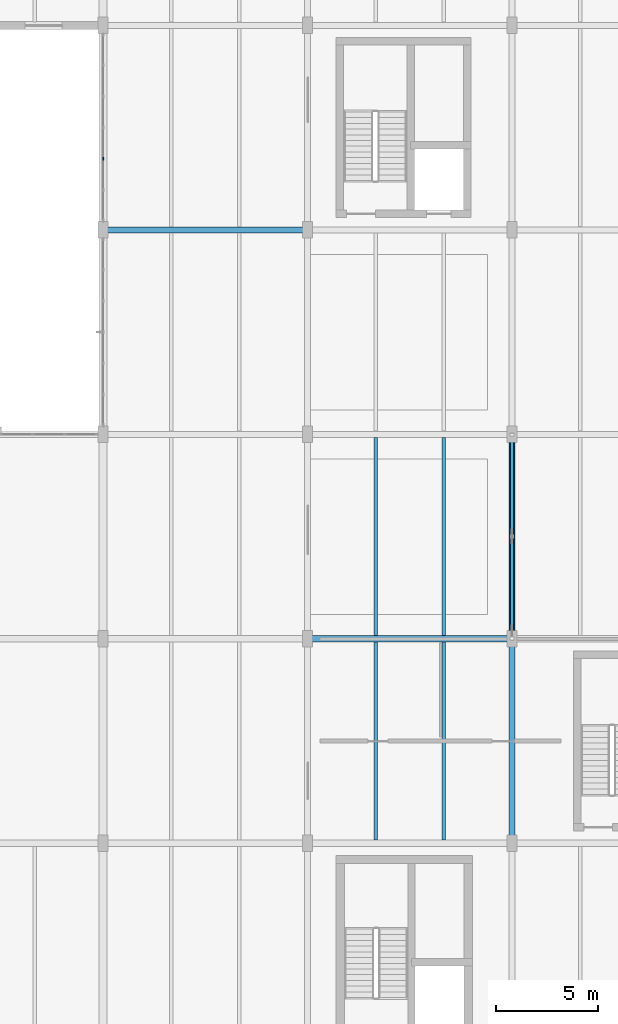
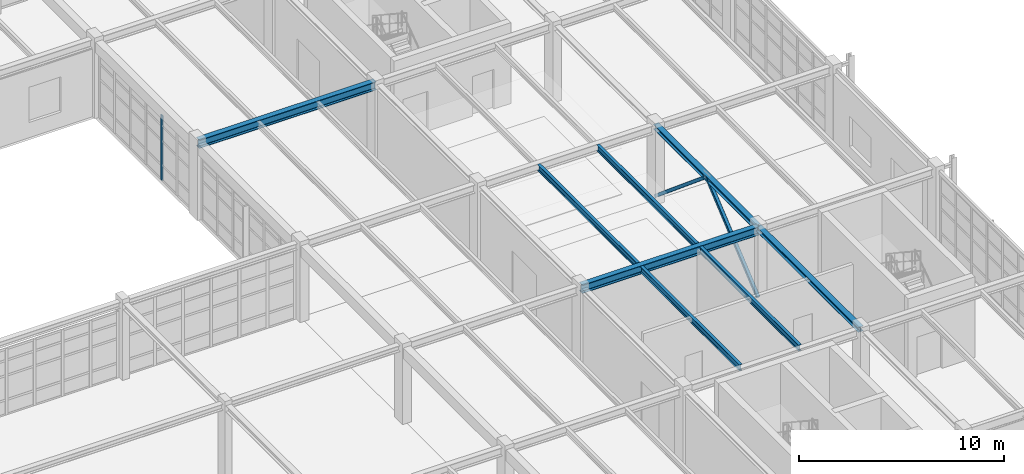
# One storey, part 69 of 139: 8 beams, 3 members, 1 element without a shape of its own.
"""IFC4 building model written with IfcOpenShell, lengths in metres."""

from ifc_helpers import new_model, si_unit, direction, frame, origin, origin_2d, place, context, subcontext, project, spatial, rectangle, hollow_rectangle, i_section, extrude, material, layer, layer_set, material_profile, profile_set, type_object, element, aggregate, save


model = new_model("IFC4")

# Units and contexts
model_context = context("Model", 3, precision=1e-05, world=origin(), true_north=direction((0.0, 1.0)))
body_context = subcontext(model_context, "Body", "Model", "MODEL_VIEW")
ifc_project = project(units=[si_unit("LENGTHUNIT", "METRE"), si_unit("AREAUNIT", "SQUARE_METRE"), si_unit("VOLUMEUNIT", "CUBIC_METRE"), si_unit("PLANEANGLEUNIT", "RADIAN"), si_unit("MASSUNIT", "GRAM", prefix="KILO"), si_unit("THERMODYNAMICTEMPERATUREUNIT", "KELVIN"), si_unit("POWERUNIT", "WATT")], contexts=[model_context])

# Site, building, storey
site_placement = place(None, origin())
site = spatial("IfcSite", under=ifc_project, at=site_placement, CompositionType="ELEMENT")
building_placement = place(site_placement, origin())
building = spatial("IfcBuilding", under=site, at=building_placement, Name="Korenveer Ferry Terminal", CompositionType="ELEMENT")
storey_placement = place(building_placement, frame((0.0, 0.0, 5.39990234375)))
storey = spatial("IfcBuildingStorey", under=building, at=storey_placement, Name="L01", CompositionType="ELEMENT", Elevation=5.39990234375)

# Curtain wall, member
ifc_material_1 = material(Name="Unitised bronze-and-glass curtain wall", Category="glass")
ifc_layer = layer(ifc_material_1, 0.159912109375)
ifc_layer_set = layer_set([ifc_layer], Name="Unitised bronze-and-glass curtain wall")
curtain_wall_type = type_object("IfcCurtainWallType", Name="ENV-CW-79", PredefinedType="USERDEFINED", material=ifc_layer_set)
curtain_wall_placement = place(storey_placement, frame((146.0, 60.429931640625, 0.0)))
curtain_wall = element("IfcCurtainWall", 1, at=curtain_wall_placement, inside=storey, type_object=curtain_wall_type, Name="Lancet curtain wall CWX-L01-X146-146-Y60-70", ObjectType="UNITISED CURTAIN WALL", PredefinedType="USERDEFINED")
ifc_material_2 = material(Name="Anodised bronze aluminium", Category="aluminium")
ifc_material_profile_1 = material_profile(ifc_material_2, rectangle(XDim=0.06005859375, YDim=0.159912109375, at=origin_2d()), Name="ALU 60x160")
ifc_profile_set_1 = profile_set([ifc_material_profile_1], Name="Anodised bronze aluminium")
member_type_1 = type_object("IfcMemberType", Name="ENV-CWM-60X160", PredefinedType="MULLION", material=ifc_profile_set_1)
member_placement = place(storey_placement, frame((146.0, 63.4765625, 0.0), z_axis=(0.0, 0.0, 1.0), x_axis=(-1.0, 0.0, 0.0)))
member = element("IfcMember", 2, at=member_placement, type_object=member_type_1, Name="CW-79 mullion 3", PredefinedType="MULLION", context=body_context, shape_type="SweptSolid", body=[
    extrude(rectangle(XDim=0.06005859375, YDim=0.159912109375, at=origin_2d()), origin(), (0.0, 0.0, 1.0), 3.8701171875),
])
aggregate(curtain_wall, [member])

# Beams
ifc_material_3 = material(Name="Steel S355", Category="steel")
ifc_material_profile_2 = material_profile(ifc_material_3, i_section(OverallWidth=0.300048828125, OverallDepth=0.2900390625, WebThickness=0.008544921875, FlangeThickness=0.013916015625, FilletRadius=0.027099609375, at=origin_2d()), Name="HEA 300")
ifc_profile_set_2 = profile_set([ifc_material_profile_2], Name="Steel S355")
beam_type_1 = type_object("IfcBeamType", Name="STR-BM-HEA300", PredefinedType="BEAM", material=ifc_profile_set_2)
for number, where, z_axis, x_axis, name in (
    (3, (166.0, 30.02001953125, 4.405029296875), (0.0, 1.0, 0.0), (-1.0, 0.0, 0.0), "Primary Y girder BMY-L02-X166-Y30-40"),
    (4, (166.0, 40.02001953125, 4.405029296875), (0.0, 1.0, 0.0), (-1.0, 0.0, 0.0), "Primary Y girder BMY-L02-X166-Y40-50"),
):
    element("IfcBeam", number, at=place(storey_placement, frame(where, z_axis=z_axis, x_axis=x_axis)), inside=storey, type_object=beam_type_1, Name=name, PredefinedType="BEAM", context=body_context, shape_type="SweptSolid", body=[
        extrude(i_section(OverallWidth=0.300048828125, OverallDepth=0.2900390625, WebThickness=0.008544921875, FlangeThickness=0.013916015625, FilletRadius=0.027099609375, at=origin_2d()), origin(), (0.0, 0.0, 1.0), 9.9599609375),
    ])
ifc_material_profile_3 = material_profile(ifc_material_3, i_section(OverallWidth=0.300048828125, OverallDepth=0.5, WebThickness=0.014404296875, FlangeThickness=0.028076171875, FilletRadius=0.027099609375, at=origin_2d()), Name="HEB 500")
ifc_profile_set_3 = profile_set([ifc_material_profile_3], Name="Steel S355")
beam_type_2 = type_object("IfcBeamType", Name="STR-BM-HEB500", PredefinedType="BEAM", material=ifc_profile_set_3)
for number, where, z_axis, x_axis, name in (
    (5, (156.02001953125, 40.0, 4.300048828125), (1.0, 0.0, 0.0), (0.0, 1.0, 0.0), "Primary X girder BMX-L02-X156-166-Y40"),
    (6, (146.02001953125, 60.0, 4.300048828125), (1.0, 0.0, 0.0), (0.0, 1.0, 0.0), "Primary X girder BMX-L02-X146-156-Y60"),
):
    element("IfcBeam", number, at=place(storey_placement, frame(where, z_axis=z_axis, x_axis=x_axis)), inside=storey, type_object=beam_type_2, Name=name, PredefinedType="BEAM", context=body_context, shape_type="SweptSolid", body=[
        extrude(i_section(OverallWidth=0.300048828125, OverallDepth=0.5, WebThickness=0.014404296875, FlangeThickness=0.028076171875, FilletRadius=0.027099609375, at=origin_2d()), origin(), (0.0, 0.0, 1.0), 9.9599609375),
    ])

# Members
ifc_material_profile_4 = material_profile(ifc_material_3, hollow_rectangle(XDim=0.179931640625, YDim=0.179931640625, WallThickness=0.010009765625, InnerFilletRadius=0.010009765625, OuterFilletRadius=0.014892578125, at=origin_2d()), Name="SHS 180x180x10")
ifc_profile_set_4 = profile_set([ifc_material_profile_4], Name="Steel S355")
member_type_2 = type_object("IfcMemberType", Name="STR-BRC-SHS180", PredefinedType="BRACE", material=ifc_profile_set_4)
for number, where, z_axis, x_axis, name in (
    (7, (166.0, 40.02001953125, 0.239990234375), (0.0, 0.767449743523, 0.641109110189), (-1.0, 0.0, 0.0), "Lateral stability chevron brace BRCVF-L01-X166-400"),
    (8, (166.0, 45.0, 4.400146484375), (0.0, 0.767449743523, -0.641109110189), (-1.0, 0.0, 0.0), "Lateral stability chevron brace BRCVF-L01-X166-450"),
):
    element("IfcMember", number, at=place(storey_placement, frame(where, z_axis=z_axis, x_axis=x_axis)), inside=storey, type_object=member_type_2, Name=name, PredefinedType="BRACE", context=body_context, shape_type="SweptSolid", body=[
        extrude(hollow_rectangle(XDim=0.179931640625, YDim=0.179931640625, WallThickness=0.010009765625, InnerFilletRadius=0.010009765625, OuterFilletRadius=0.014892578125, at=origin_2d()), origin(), (0.0, 0.0, 1.0), 6.489013671875),
    ])

# Beams
ifc_material_profile_5 = material_profile(ifc_material_3, i_section(OverallWidth=0.169921875, OverallDepth=0.360107421875, WebThickness=0.008056640625, FlangeThickness=0.0126953125, FilletRadius=0.01806640625, at=origin_2d()), Name="IPE 360")
ifc_profile_set_5 = profile_set([ifc_material_profile_5], Name="Steel S355")
beam_type_3 = type_object("IfcBeamType", Name="STR-JST-IPE360", PredefinedType="JOIST", material=ifc_profile_set_5)
for number, where, z_axis, x_axis, name in (
    (9, (159.333251953125, 30.159912109375, 4.3701171875), (0.0, 1.0, 0.0), (-1.0, 0.0, 0.0), "Secondary composite joist JST-L02-X1593-Y30-40"),
    (10, (162.666748046875, 30.159912109375, 4.3701171875), (0.0, 1.0, 0.0), (-1.0, 0.0, 0.0), "Secondary composite joist JST-L02-X1627-Y30-40"),
    (11, (159.333251953125, 40.159912109375, 4.3701171875), (0.0, 1.0, 0.0), (-1.0, 0.0, 0.0), "Secondary composite joist JST-L02-X1593-Y40-50"),
    (12, (162.666748046875, 40.159912109375, 4.3701171875), (0.0, 1.0, 0.0), (-1.0, 0.0, 0.0), "Secondary composite joist JST-L02-X1627-Y40-50"),
):
    element("IfcBeam", number, at=place(storey_placement, frame(where, z_axis=z_axis, x_axis=x_axis)), inside=storey, type_object=beam_type_3, Name=name, PredefinedType="JOIST", context=body_context, shape_type="SweptSolid", body=[
        extrude(i_section(OverallWidth=0.169921875, OverallDepth=0.360107421875, WebThickness=0.008056640625, FlangeThickness=0.0126953125, FilletRadius=0.01806640625, at=origin_2d()), origin(), (0.0, 0.0, 1.0), 9.68017578125),
    ])

save(model, "model.ifc")
